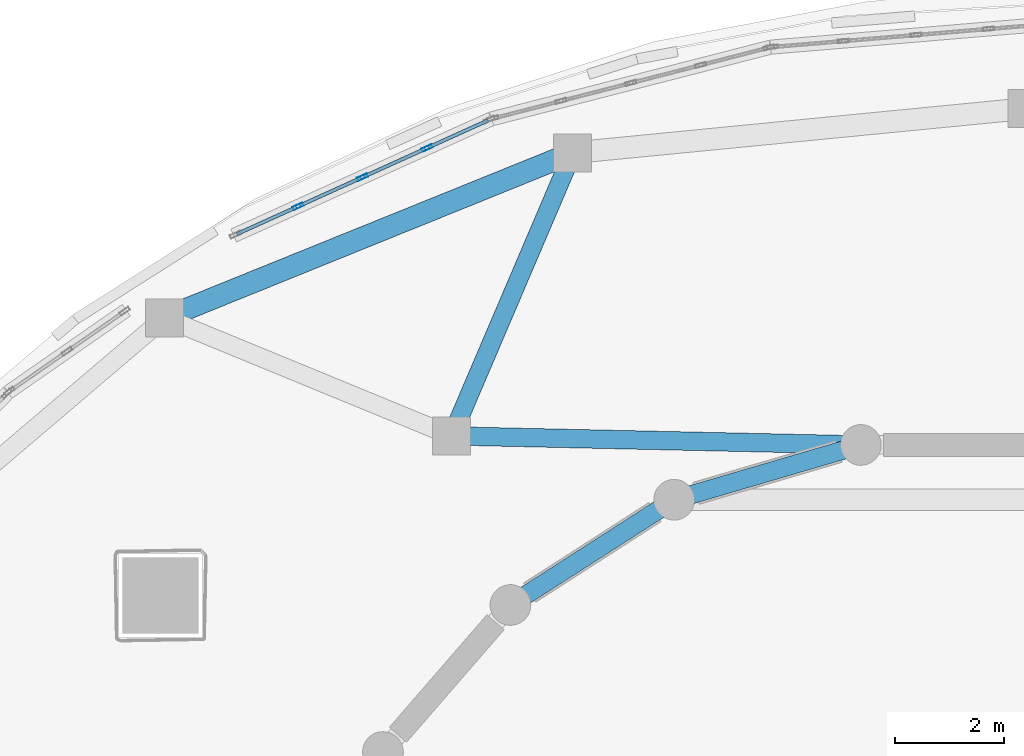
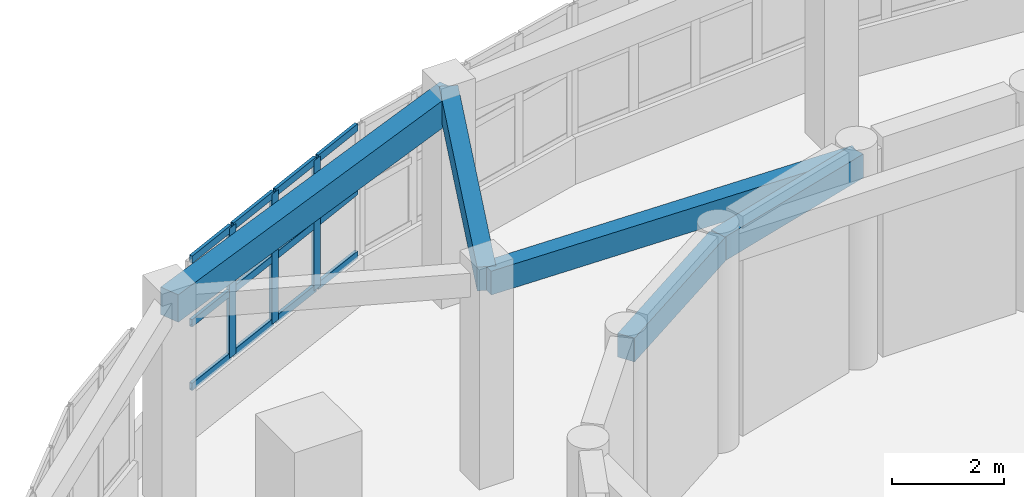
# One storey, part 43 of 98: 15 members, 5 beams, 1 element without a shape of its own.
"""IFC4 building model written with IfcOpenShell, lengths in metres."""

from ifc_helpers import new_model, si_unit, direction, frame, origin, origin_2d, place, context, subcontext, project, spatial, rectangle, hollow_rectangle, extrude, material, layer, layer_set, material_profile, profile_set, type_object, element, aggregate, save


model = new_model("IFC4")

# Units and contexts
model_context = context("Model", 3, precision=1e-05, world=origin(), true_north=direction((0.0, 1.0)))
body_context = subcontext(model_context, "Body", "Model", "MODEL_VIEW")
ifc_project = project(units=[si_unit("LENGTHUNIT", "METRE"), si_unit("AREAUNIT", "SQUARE_METRE"), si_unit("VOLUMEUNIT", "CUBIC_METRE"), si_unit("PLANEANGLEUNIT", "RADIAN"), si_unit("MASSUNIT", "GRAM", prefix="KILO")], contexts=[model_context])

# Site, building, storey
site_placement = place(None, origin())
site = spatial("IfcSite", under=ifc_project, at=site_placement, CompositionType="ELEMENT")
building_placement = place(site_placement, origin())
building = spatial("IfcBuilding", under=site, at=building_placement, Name="Pelvatis Terrace Science Centre", CompositionType="ELEMENT")
storey_placement = place(building_placement, frame((0.0, 0.0, 5.39990234375)))
storey = spatial("IfcBuildingStorey", under=building, at=storey_placement, Name="L01", CompositionType="ELEMENT", Elevation=5.39990234375)

# Beams
ifc_material_1 = material(Name="Concrete C35/45", Category="concrete")
ifc_material_profile_1 = material_profile(ifc_material_1, rectangle(XDim=0.340087890625, YDim=0.52001953125, at=origin_2d()), Name="RC-BM 340x520")
ifc_profile_set_1 = profile_set([ifc_material_profile_1], Name="Concrete C35/45")
beam_type_1 = type_object("IfcBeamType", Name="BM-RC-340x520", PredefinedType="BEAM", material=ifc_profile_set_1)
beam_1_placement = place(storey_placement, frame((107.40673828125, 98.271728515625, 4.280029296875), z_axis=(-0.959499815423, -0.281709254734, 0.0), x_axis=(0.281709254734, -0.959499815423, 0.0)))
element("IfcBeam", 1, at=beam_1_placement, inside=storey, type_object=beam_type_1, Name="Beam BM-L01-2547", PredefinedType="BEAM", context=body_context, shape_type="SweptSolid", body=[
    extrude(rectangle(XDim=0.340087890625, YDim=0.52001953125, at=origin_2d()), origin(), (0.0, 0.0, 1.0), 3.586181640625),
])
beam_2_placement = place(storey_placement, frame((107.40673828125, 98.271728515625, 4.280029296875), z_axis=(-0.999756283601, 0.022076535063, 0.0), x_axis=(-0.022076535063, -0.999756283601, 0.0)))
element("IfcBeam", 2, at=beam_2_placement, inside=storey, type_object=beam_type_1, Name="Beam BM-L01-2548", PredefinedType="BEAM", context=body_context, shape_type="SweptSolid", body=[
    extrude(rectangle(XDim=0.340087890625, YDim=0.52001953125, at=origin_2d()), origin(), (0.0, 0.0, 1.0), 7.542236328125),
])
beam_3_placement = place(storey_placement, frame((103.9658203125, 97.261474609375, 4.280029296875), z_axis=(-0.841253667692, -0.540640607607, 0.0), x_axis=(0.540640607607, -0.841253667692, 0.0)))
element("IfcBeam", 3, at=beam_3_placement, inside=storey, type_object=beam_type_1, Name="Beam BM-L01-2549", PredefinedType="BEAM", context=body_context, shape_type="SweptSolid", body=[
    extrude(rectangle(XDim=0.340087890625, YDim=0.52001953125, at=origin_2d()), origin(), (0.0, 0.0, 1.0), 3.58642578125),
])
beam_4_placement = place(storey_placement, frame((102.095458984375, 103.65673828125, 4.280029296875), z_axis=(-0.392802627851, -0.919622800692, 0.0), x_axis=(0.919622800692, -0.392802627851, 0.0)))
element("IfcBeam", 4, at=beam_4_placement, inside=storey, type_object=beam_type_1, Name="Beam BM-L01-2632", PredefinedType="BEAM", context=body_context, shape_type="SweptSolid", body=[
    extrude(rectangle(XDim=0.340087890625, YDim=0.52001953125, at=origin_2d()), origin(), (0.0, 0.0, 1.0), 5.674560546875),
])
ifc_material_2 = material(Name="Concrete C35/45", Category="concrete")
ifc_material_profile_2 = material_profile(ifc_material_2, rectangle(XDim=0.39990234375, YDim=0.60009765625, at=origin_2d()), Name="RC-BM 400x600")
ifc_profile_set_2 = profile_set([ifc_material_profile_2], Name="Concrete C35/45")
beam_type_2 = type_object("IfcBeamType", Name="BM-RC-400x600", PredefinedType="BEAM", material=ifc_profile_set_2)
beam_5_placement = place(storey_placement, frame((102.095458984375, 103.65673828125, 4.239990234375), z_axis=(-0.926974722929, -0.375123796967, 0.0), x_axis=(0.375123796967, -0.926974722929, 0.0)))
element("IfcBeam", 5, at=beam_5_placement, inside=storey, type_object=beam_type_2, Name="Beam BM-L01-2631", PredefinedType="BEAM", context=body_context, shape_type="SweptSolid", body=[
    extrude(rectangle(XDim=0.39990234375, YDim=0.60009765625, at=origin_2d()), origin(), (0.0, 0.0, 1.0), 8.11181640625),
])

# Curtain wall, members
ifc_material_3 = material(Name="Bronze-anodised aluminium and laminated glass", Category="aluminium")
ifc_layer = layer(ifc_material_3, 0.199951171875)
ifc_layer_set = layer_set([ifc_layer], Name="Bronze-anodised aluminium and laminated glass")
curtain_wall_type = type_object("IfcCurtainWallType", Name="CW-RIBBON-B", PredefinedType="NOTDEFINED", material=ifc_layer_set)
curtain_wall_placement = place(storey_placement, origin())
curtain_wall = element("IfcCurtainWall", 6, at=curtain_wall_placement, inside=storey, type_object=curtain_wall_type, Name="Ribbon curtain wall CW-135 (L01)", PredefinedType="NOTDEFINED")
ifc_material_4 = material(Name="Bronze-anodised aluminium 6063-T6", Category="aluminium")
ifc_material_profile_3 = material_profile(ifc_material_4, hollow_rectangle(XDim=0.06494140625, YDim=0.199951171875, WallThickness=0.00439453125, at=origin_2d()), Name="ALU-MUL 65x200")
ifc_profile_set_3 = profile_set([ifc_material_profile_3], Name="Bronze-anodised aluminium 6063-T6")
member_type_1 = type_object("IfcMemberType", Name="CWM-65x200", PredefinedType="MULLION", material=ifc_profile_set_3)
member_1_placement = place(storey_placement, frame((99.408935546875, 103.7431640625, 1.02001953125), z_axis=(0.0, 0.0, 1.0), x_axis=(0.412428504596, -0.910989971732, 0.0)))
member_1 = element("IfcMember", 7, at=member_1_placement, type_object=member_type_1, Name="CW-135 mullion 2", PredefinedType="MULLION", context=body_context, shape_type="SweptSolid", body=[
    extrude(hollow_rectangle(XDim=0.06494140625, YDim=0.199951171875, WallThickness=0.00439453125, at=origin_2d()), origin(), (0.0, 0.0, 1.0), 2.840087890625),
])
member_2_placement = place(storey_placement, frame((98.222412109375, 103.2060546875, 1.02001953125), z_axis=(0.0, 0.0, 1.0), x_axis=(0.412428504596, -0.910989971732, 0.0)))
member_2 = element("IfcMember", 8, at=member_2_placement, type_object=member_type_1, Name="CW-135 mullion 3", PredefinedType="MULLION", context=body_context, shape_type="SweptSolid", body=[
    extrude(hollow_rectangle(XDim=0.06494140625, YDim=0.199951171875, WallThickness=0.00439453125, at=origin_2d()), origin(), (0.0, 0.0, 1.0), 2.840087890625),
])
member_3_placement = place(storey_placement, frame((97.0361328125, 102.6689453125, 1.02001953125), z_axis=(0.0, 0.0, 1.0), x_axis=(0.412428504596, -0.910989971732, 0.0)))
member_3 = element("IfcMember", 9, at=member_3_placement, type_object=member_type_1, Name="CW-135 mullion 4", PredefinedType="MULLION", context=body_context, shape_type="SweptSolid", body=[
    extrude(hollow_rectangle(XDim=0.06494140625, YDim=0.199951171875, WallThickness=0.00439453125, at=origin_2d()), origin(), (0.0, 0.0, 1.0), 2.840087890625),
])
ifc_material_5 = material(Name="Bronze-anodised aluminium 6063-T6", Category="aluminium")
ifc_material_profile_4 = material_profile(ifc_material_5, hollow_rectangle(XDim=0.06494140625, YDim=0.159912109375, WallThickness=0.00390625, at=origin_2d()), Name="ALU-TRN 65x160")
ifc_profile_set_4 = profile_set([ifc_material_profile_4], Name="Bronze-anodised aluminium 6063-T6")
member_type_2 = type_object("IfcMemberType", Name="CWT-65x160", PredefinedType="USERDEFINED", material=ifc_profile_set_4)
member_4_placement = place(storey_placement, frame((100.5361328125, 104.25341796875, 1.052490234375), z_axis=(-0.911024563678, -0.412352087875, 0.0), x_axis=(0.412352087875, -0.911024563678, 0.0)))
member_4 = element("IfcMember", 10, at=member_4_placement, type_object=member_type_2, Name="CW-135 transom 1.1", ObjectType="TRANSOM", PredefinedType="USERDEFINED", context=body_context, shape_type="SweptSolid", body=[
    extrude(hollow_rectangle(XDim=0.06494140625, YDim=0.159912109375, WallThickness=0.00390625, at=origin_2d()), origin(), (0.0, 0.0, 1.0), 1.204833984375),
])
member_5_placement = place(storey_placement, frame((100.5361328125, 104.25341796875, 2.440185546875), z_axis=(-0.911024563678, -0.412352087875, 0.0), x_axis=(0.412352087875, -0.911024563678, 0.0)))
member_5 = element("IfcMember", 11, at=member_5_placement, type_object=member_type_2, Name="CW-135 transom 1.2", ObjectType="TRANSOM", PredefinedType="USERDEFINED", context=body_context, shape_type="SweptSolid", body=[
    extrude(hollow_rectangle(XDim=0.06494140625, YDim=0.159912109375, WallThickness=0.00390625, at=origin_2d()), origin(), (0.0, 0.0, 1.0), 1.204833984375),
])
member_6_placement = place(storey_placement, frame((100.5361328125, 104.25341796875, 3.82763671875), z_axis=(-0.911024563678, -0.412352087875, 0.0), x_axis=(0.412352087875, -0.911024563678, 0.0)))
member_6 = element("IfcMember", 12, at=member_6_placement, type_object=member_type_2, Name="CW-135 transom 1.3", ObjectType="TRANSOM", PredefinedType="USERDEFINED", context=body_context, shape_type="SweptSolid", body=[
    extrude(hollow_rectangle(XDim=0.06494140625, YDim=0.159912109375, WallThickness=0.00390625, at=origin_2d()), origin(), (0.0, 0.0, 1.0), 1.204833984375),
])
member_7_placement = place(storey_placement, frame((99.379150390625, 103.729736328125, 1.052490234375), z_axis=(-0.910933195903, -0.412553890542, 0.0), x_axis=(0.412553890542, -0.910933195903, 0.0)))
member_7 = element("IfcMember", 13, at=member_7_placement, type_object=member_type_2, Name="CW-135 transom 2.1", ObjectType="TRANSOM", PredefinedType="USERDEFINED", context=body_context, shape_type="SweptSolid", body=[
    extrude(hollow_rectangle(XDim=0.06494140625, YDim=0.159912109375, WallThickness=0.00390625, at=origin_2d()), origin(), (0.0, 0.0, 1.0), 1.2373046875),
])
member_8_placement = place(storey_placement, frame((99.379150390625, 103.729736328125, 2.440185546875), z_axis=(-0.910933195903, -0.412553890542, 0.0), x_axis=(0.412553890542, -0.910933195903, 0.0)))
member_8 = element("IfcMember", 14, at=member_8_placement, type_object=member_type_2, Name="CW-135 transom 2.2", ObjectType="TRANSOM", PredefinedType="USERDEFINED", context=body_context, shape_type="SweptSolid", body=[
    extrude(hollow_rectangle(XDim=0.06494140625, YDim=0.159912109375, WallThickness=0.00390625, at=origin_2d()), origin(), (0.0, 0.0, 1.0), 1.2373046875),
])
member_9_placement = place(storey_placement, frame((99.379150390625, 103.729736328125, 3.82763671875), z_axis=(-0.910933195903, -0.412553890542, 0.0), x_axis=(0.412553890542, -0.910933195903, 0.0)))
member_9 = element("IfcMember", 15, at=member_9_placement, type_object=member_type_2, Name="CW-135 transom 2.3", ObjectType="TRANSOM", PredefinedType="USERDEFINED", context=body_context, shape_type="SweptSolid", body=[
    extrude(hollow_rectangle(XDim=0.06494140625, YDim=0.159912109375, WallThickness=0.00390625, at=origin_2d()), origin(), (0.0, 0.0, 1.0), 1.2373046875),
])
member_10_placement = place(storey_placement, frame((98.19287109375, 103.192626953125, 1.052490234375), z_axis=(-0.910933195903, -0.412553890542, 0.0), x_axis=(0.412553890542, -0.910933195903, 0.0)))
member_10 = element("IfcMember", 16, at=member_10_placement, type_object=member_type_2, Name="CW-135 transom 3.1", ObjectType="TRANSOM", PredefinedType="USERDEFINED", context=body_context, shape_type="SweptSolid", body=[
    extrude(hollow_rectangle(XDim=0.06494140625, YDim=0.159912109375, WallThickness=0.00390625, at=origin_2d()), origin(), (0.0, 0.0, 1.0), 1.2373046875),
])
member_11_placement = place(storey_placement, frame((98.19287109375, 103.192626953125, 2.440185546875), z_axis=(-0.910933195903, -0.412553890542, 0.0), x_axis=(0.412553890542, -0.910933195903, 0.0)))
member_11 = element("IfcMember", 17, at=member_11_placement, type_object=member_type_2, Name="CW-135 transom 3.2", ObjectType="TRANSOM", PredefinedType="USERDEFINED", context=body_context, shape_type="SweptSolid", body=[
    extrude(hollow_rectangle(XDim=0.06494140625, YDim=0.159912109375, WallThickness=0.00390625, at=origin_2d()), origin(), (0.0, 0.0, 1.0), 1.2373046875),
])
member_12_placement = place(storey_placement, frame((98.19287109375, 103.192626953125, 3.82763671875), z_axis=(-0.910933195903, -0.412553890542, 0.0), x_axis=(0.412553890542, -0.910933195903, 0.0)))
member_12 = element("IfcMember", 18, at=member_12_placement, type_object=member_type_2, Name="CW-135 transom 3.3", ObjectType="TRANSOM", PredefinedType="USERDEFINED", context=body_context, shape_type="SweptSolid", body=[
    extrude(hollow_rectangle(XDim=0.06494140625, YDim=0.159912109375, WallThickness=0.00390625, at=origin_2d()), origin(), (0.0, 0.0, 1.0), 1.2373046875),
])
member_13_placement = place(storey_placement, frame((97.00634765625, 102.655517578125, 1.052490234375), z_axis=(-0.910913945128, -0.412596394278, 0.0), x_axis=(0.412596394278, -0.910913945128, 0.0)))
member_13 = element("IfcMember", 19, at=member_13_placement, type_object=member_type_2, Name="CW-135 transom 4.1", ObjectType="TRANSOM", PredefinedType="USERDEFINED", context=body_context, shape_type="SweptSolid", body=[
    extrude(hollow_rectangle(XDim=0.06494140625, YDim=0.159912109375, WallThickness=0.00390625, at=origin_2d()), origin(), (0.0, 0.0, 1.0), 1.204833984375),
])
member_14_placement = place(storey_placement, frame((97.00634765625, 102.655517578125, 2.440185546875), z_axis=(-0.910913945128, -0.412596394278, 0.0), x_axis=(0.412596394278, -0.910913945128, 0.0)))
member_14 = element("IfcMember", 20, at=member_14_placement, type_object=member_type_2, Name="CW-135 transom 4.2", ObjectType="TRANSOM", PredefinedType="USERDEFINED", context=body_context, shape_type="SweptSolid", body=[
    extrude(hollow_rectangle(XDim=0.06494140625, YDim=0.159912109375, WallThickness=0.00390625, at=origin_2d()), origin(), (0.0, 0.0, 1.0), 1.204833984375),
])
member_15_placement = place(storey_placement, frame((97.00634765625, 102.655517578125, 3.82763671875), z_axis=(-0.910913945128, -0.412596394278, 0.0), x_axis=(0.412596394278, -0.910913945128, 0.0)))
member_15 = element("IfcMember", 21, at=member_15_placement, type_object=member_type_2, Name="CW-135 transom 4.3", ObjectType="TRANSOM", PredefinedType="USERDEFINED", context=body_context, shape_type="SweptSolid", body=[
    extrude(hollow_rectangle(XDim=0.06494140625, YDim=0.159912109375, WallThickness=0.00390625, at=origin_2d()), origin(), (0.0, 0.0, 1.0), 1.204833984375),
])
aggregate(curtain_wall, [member_1, member_2, member_3, member_4, member_5, member_6, member_7, member_8, member_9, member_10, member_11, member_12, member_13, member_14, member_15])

save(model, "model.ifc")
